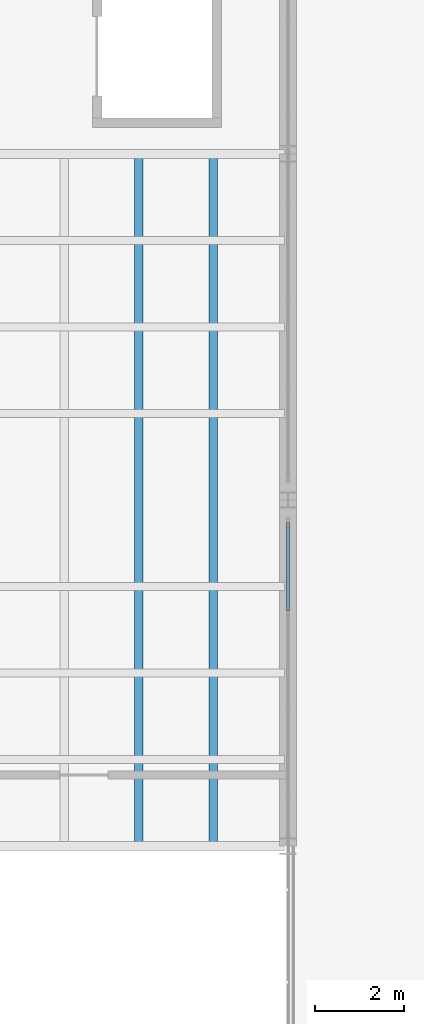
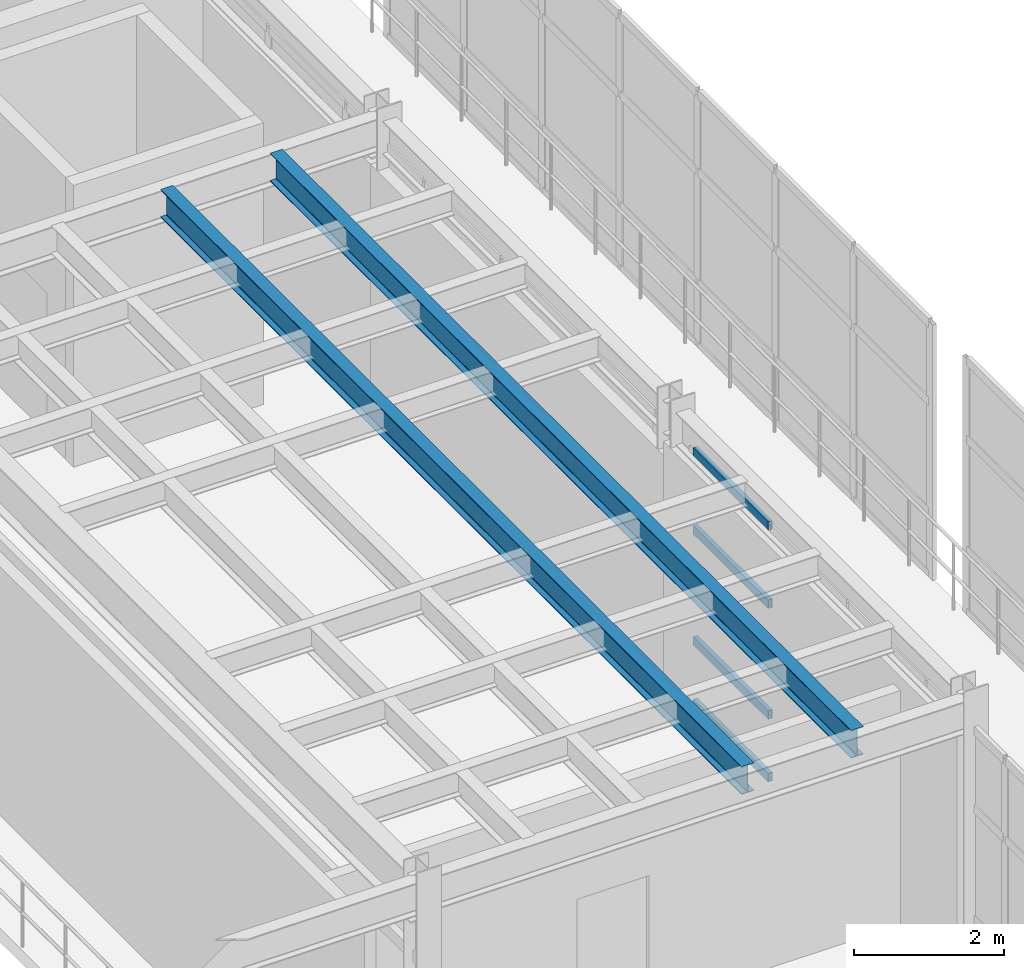
# One storey, part 45 of 116: 4 members, 2 beams, 1 element without a shape of its own.
"""IFC4 building model written with IfcOpenShell, lengths in metres."""

from ifc_helpers import new_model, si_unit, direction, frame, origin, origin_2d, place, context, subcontext, project, spatial, hollow_rectangle, i_section, extrude, material, layer, layer_set, material_profile, profile_set, type_object, element, aggregate, save


model = new_model("IFC4")

# Units and contexts
model_context = context("Model", 3, precision=1e-05, world=origin(), true_north=direction((0.0, 1.0)))
body_context = subcontext(model_context, "Body", "Model", "MODEL_VIEW")
ifc_project = project(units=[si_unit("LENGTHUNIT", "METRE"), si_unit("AREAUNIT", "SQUARE_METRE"), si_unit("VOLUMEUNIT", "CUBIC_METRE"), si_unit("PLANEANGLEUNIT", "RADIAN"), si_unit("MASSUNIT", "GRAM", prefix="KILO")], contexts=[model_context])

# Site, building, storey
site_placement = place(None, origin())
site = spatial("IfcSite", under=ifc_project, at=site_placement, CompositionType="ELEMENT")
building_placement = place(site_placement, origin())
building = spatial("IfcBuilding", under=site, at=building_placement, Name="Selat Folded Stagehouse", CompositionType="ELEMENT")
storey_placement = place(building_placement, frame((0.0, 0.0, 5.39990234375)))
storey = spatial("IfcBuildingStorey", under=building, at=storey_placement, Name="L01", CompositionType="ELEMENT", Elevation=5.39990234375)

# Curtain wall, members
ifc_material_1 = material(Name="Aluminium 6063-T6", Category="aluminium")
ifc_layer = layer(ifc_material_1, 0.175048828125)
ifc_layer_set = layer_set([ifc_layer], Name="Aluminium 6063-T6")
curtain_wall_type = type_object("IfcCurtainWallType", Name="CW-BRG-GLAZ", PredefinedType="NOTDEFINED", material=ifc_layer_set)
curtain_wall_placement = place(storey_placement, origin())
curtain_wall = element("IfcCurtainWall", 1, at=curtain_wall_placement, inside=storey, type_object=curtain_wall_type, Name="L01 curtain wall CW-BRG-01", PredefinedType="NOTDEFINED")
ifc_material_profile_1 = material_profile(ifc_material_1, hollow_rectangle(XDim=0.06494140625, YDim=0.139892578125, WallThickness=0.00390625, at=origin_2d()), Name="ALU 140x65x4.0")
ifc_profile_set_1 = profile_set([ifc_material_profile_1], Name="Aluminium 6063-T6")
member_type = type_object("IfcMemberType", Name="CWM-TRN-140x65", PredefinedType="USERDEFINED", material=ifc_profile_set_1)
member_1_placement = place(storey_placement, frame((67.199951171875, 28.69677734375, 0.03271484375), z_axis=(0.0, 1.0, 0.0), x_axis=(-1.0, 0.0, 0.0)))
member_1 = element("IfcMember", 2, at=member_1_placement, type_object=member_type, Name="CW-07 transom 6.1", ObjectType="TRANSOM", PredefinedType="USERDEFINED", context=body_context, shape_type="SweptSolid", body=[
    extrude(hollow_rectangle(XDim=0.06494140625, YDim=0.139892578125, WallThickness=0.00390625, at=origin_2d()), origin(), (0.0, 0.0, 1.0), 1.9931640625),
])
member_2_placement = place(storey_placement, frame((67.199951171875, 28.69677734375, 1.050048828125), z_axis=(0.0, 1.0, 0.0), x_axis=(-1.0, 0.0, 0.0)))
member_2 = element("IfcMember", 3, at=member_2_placement, type_object=member_type, Name="CW-07 transom 6.2", ObjectType="TRANSOM", PredefinedType="USERDEFINED", context=body_context, shape_type="SweptSolid", body=[
    extrude(hollow_rectangle(XDim=0.06494140625, YDim=0.139892578125, WallThickness=0.00390625, at=origin_2d()), origin(), (0.0, 0.0, 1.0), 1.9931640625),
])
member_3_placement = place(storey_placement, frame((67.199951171875, 28.69677734375, 2.85009765625), z_axis=(0.0, 1.0, 0.0), x_axis=(-1.0, 0.0, 0.0)))
member_3 = element("IfcMember", 4, at=member_3_placement, type_object=member_type, Name="CW-07 transom 6.3", ObjectType="TRANSOM", PredefinedType="USERDEFINED", context=body_context, shape_type="SweptSolid", body=[
    extrude(hollow_rectangle(XDim=0.06494140625, YDim=0.139892578125, WallThickness=0.00390625, at=origin_2d()), origin(), (0.0, 0.0, 1.0), 1.9931640625),
])
member_4_placement = place(storey_placement, frame((67.199951171875, 28.69677734375, 4.11767578125), z_axis=(0.0, 1.0, 0.0), x_axis=(-1.0, 0.0, 0.0)))
member_4 = element("IfcMember", 5, at=member_4_placement, type_object=member_type, Name="CW-07 transom 6.4", ObjectType="TRANSOM", PredefinedType="USERDEFINED", context=body_context, shape_type="SweptSolid", body=[
    extrude(hollow_rectangle(XDim=0.06494140625, YDim=0.139892578125, WallThickness=0.00390625, at=origin_2d()), origin(), (0.0, 0.0, 1.0), 1.9931640625),
])
aggregate(curtain_wall, [member_1, member_2, member_3, member_4])

# Beams
ifc_material_2 = material(Name="Steel S355", Category="steel")
ifc_material_profile_2 = material_profile(ifc_material_2, i_section(OverallWidth=0.18994140625, OverallDepth=0.453369140625, WebThickness=0.008544921875, FlangeThickness=0.0126953125, FilletRadius=0.01025390625, at=origin_2d()), Name="UKB 457x191x67")
ifc_profile_set_2 = profile_set([ifc_material_profile_2], Name="Steel S355")
beam_type = type_object("IfcBeamType", Name="JST-457x191x67", PredefinedType="JOIST", material=ifc_profile_set_2)
for number, where, z_axis, x_axis, name in (
    (6, (63.840087890625, 23.473388671875, 4.353515625), (0.0, 1.0, 0.0), (-1.0, 0.0, 0.0), "L01 secondary floor joist 0878"),
    (7, (65.52001953125, 23.473388671875, 4.353515625), (0.0, 1.0, 0.0), (-1.0, 0.0, 0.0), "L01 secondary floor joist 0879"),
):
    element("IfcBeam", number, at=place(storey_placement, frame(where, z_axis=z_axis, x_axis=x_axis)), inside=storey, type_object=beam_type, Name=name, PredefinedType="JOIST", context=body_context, shape_type="SweptSolid", body=[
        extrude(i_section(OverallWidth=0.18994140625, OverallDepth=0.453369140625, WebThickness=0.008544921875, FlangeThickness=0.0126953125, FilletRadius=0.01025390625, at=origin_2d()), origin(), (0.0, 0.0, 1.0), 15.453369140625),
    ])

save(model, "model.ifc")
